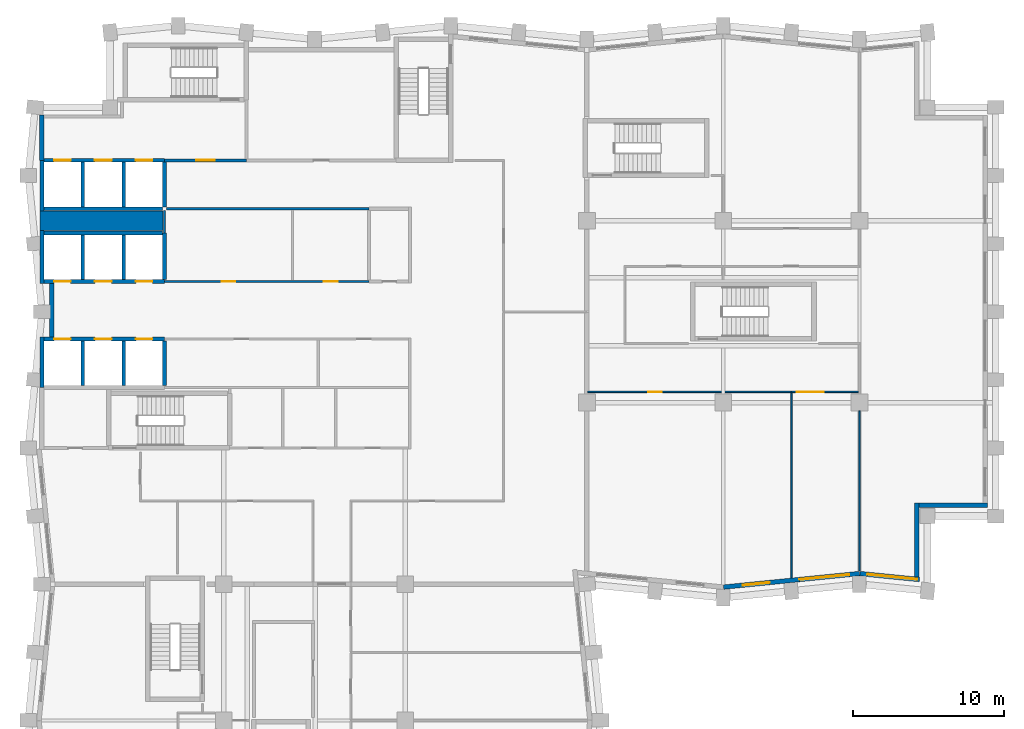
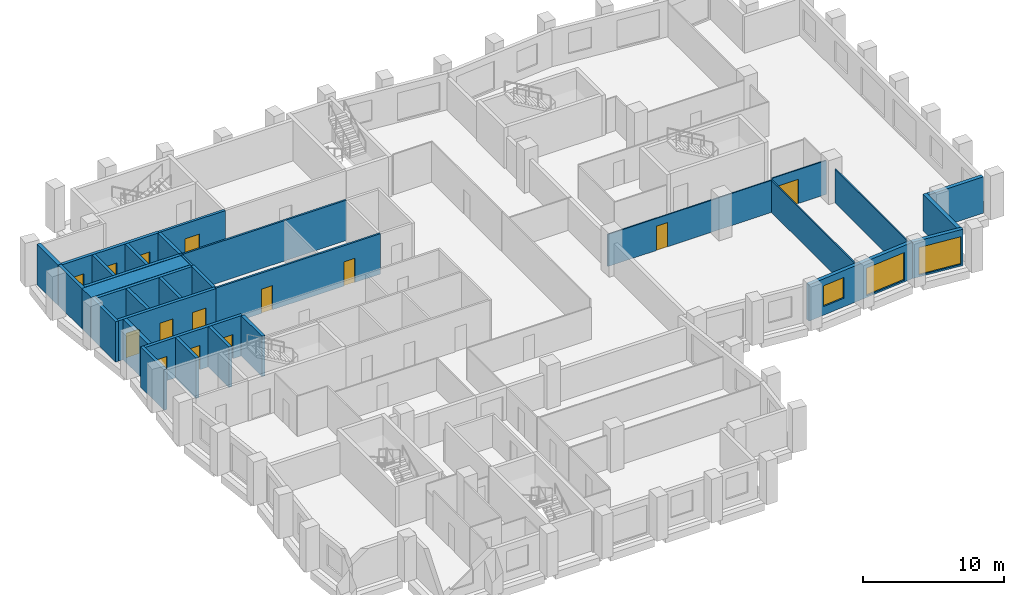
# One storey, part 5 of 10: 32 walls, 14 doors, 3 windows, 17 openings.
"""IFC4 building model written with IfcOpenShell, lengths in metres."""

from ifc_helpers import new_model, si_unit, direction, frame, frame_2d, origin, place, context, subcontext, project, spatial, rectangle, extrude, material, layer, layer_set, type_object, element, fill, save


model = new_model("IFC4")

# Units and contexts
model_context = context("Model", 3, precision=1e-05, world=origin(), true_north=direction((0.0, 1.0)))
body_context = subcontext(model_context, "Body", "Model", "MODEL_VIEW")
ifc_project = project(units=[si_unit("LENGTHUNIT", "METRE"), si_unit("AREAUNIT", "SQUARE_METRE"), si_unit("VOLUMEUNIT", "CUBIC_METRE"), si_unit("PLANEANGLEUNIT", "RADIAN"), si_unit("MASSUNIT", "GRAM", prefix="KILO")], contexts=[model_context])

# Site, building, storey
site_placement = place(None, origin())
site = spatial("IfcSite", under=ifc_project, at=site_placement, CompositionType="ELEMENT")
building_placement = place(site_placement, origin())
building = spatial("IfcBuilding", under=site, at=building_placement, Name="Brondeck Convention Tower", CompositionType="ELEMENT")
storey_placement = place(building_placement, frame((0.0, 0.0, 154.800048828125)))
storey = spatial("IfcBuildingStorey", under=building, at=storey_placement, Name="L37", CompositionType="ELEMENT", Elevation=154.800048828125)

# Walls
ifc_material_1 = material(Name="Concrete C70/85", Category="concrete")
ifc_layer_1 = layer(ifc_material_1, 0.300048828125)
ifc_layer_set_1 = layer_set([ifc_layer_1], Name="Core outer wall 300 Concrete C70/85")
wall_type_1 = type_object("IfcWallType", Name="Core outer wall 300 Concrete C70/85", PredefinedType="SHEAR", material=ifc_layer_set_1)
wall_1_placement = place(storey_placement, frame((0.0, 55.0, 0.0), z_axis=(0.0, 0.0, 1.0), x_axis=(0.0, 1.0, 0.0)))
element("IfcWall", 1, at=wall_1_placement, inside=storey, type_object=wall_type_1, Name="L37 core wall", PredefinedType="SHEAR", context=body_context, shape_type="SweptSolid", body=[
    extrude(rectangle(XDim=3.0, YDim=0.300048828125, at=frame_2d((1.5, 0.0))), origin(), (0.0, 0.0, 1.0), 3.5),
])
wall_2_placement = place(storey_placement, frame((0.64990234375, 43.324951171875, 0.0), z_axis=(0.0, 0.0, 1.0), x_axis=(0.0, 1.0, 0.0)))
element("IfcWall", 2, at=wall_2_placement, inside=storey, type_object=wall_type_1, Name="L37 core wall", PredefinedType="SHEAR", context=body_context, shape_type="SweptSolid", body=[
    extrude(rectangle(XDim=3.550048828125, YDim=0.300048828125, at=frame_2d((1.77490234375, 0.0))), origin(), (0.0, 0.0, 1.0), 3.5),
])

# Wall, openings, doors
ifc_material_2 = material(Name="Fire-rated gypsum board partition")
ifc_layer_2 = layer(ifc_material_2, 0.14990234375)
ifc_layer_set_2 = layer_set([ifc_layer_2], Name="Core partition 150 EI 60")
wall_type_2 = type_object("IfcWallType", Name="Core partition 150 EI 60", PredefinedType="PARTITIONING", material=ifc_layer_set_2)
wall_3_placement = place(storey_placement, frame((8.10009765625, 47.0, 0.0), z_axis=(0.0, 0.0, 1.0), x_axis=(1.0, 0.0, 0.0)))
wall_3 = element("IfcWall", 3, at=wall_3_placement, inside=storey, type_object=wall_type_2, Name="L37 core wall", PredefinedType="PARTITIONING", context=body_context, shape_type="SweptSolid", body=[
    extrude(rectangle(XDim=13.5, YDim=0.14990234375, at=frame_2d((6.75, 0.0))), origin(), (0.0, 0.0, 1.0), 3.5),
])
opening_1_placement = place(wall_3_placement, frame((3.77490234375, 0.0, 0.0)))
opening_1 = element("IfcOpeningElement", 4, at=opening_1_placement, cuts=wall_3, Name="Opening C22-07", PredefinedType="OPENING", context=body_context, shape_type="SweptSolid", body=[
    extrude(rectangle(XDim=0.89990234375, YDim=2.10009765625, at=frame_2d((0.449951171875, 1.050048828125))), frame((0.0, 0.0849609375, 0.0), z_axis=(0.0, -1.0, 0.0), x_axis=(1.0, 0.0, 0.0)), (0.0, 0.0, 1.0), 0.169921875),
])
opening_2_placement = place(wall_3_placement, frame((10.52490234375, 0.0, 0.0)))
opening_2 = element("IfcOpeningElement", 5, at=opening_2_placement, cuts=wall_3, Name="Opening C22-08", PredefinedType="OPENING", context=body_context, shape_type="SweptSolid", body=[
    extrude(rectangle(XDim=0.89990234375, YDim=2.10009765625, at=frame_2d((0.449951171875, 1.050048828125))), frame((0.0, 0.0849609375, 0.0), z_axis=(0.0, -1.0, 0.0), x_axis=(1.0, 0.0, 0.0)), (0.0, 0.0, 1.0), 0.169921875),
])
ifc_material_3 = material(Name="Steel fire door", Category="steel")
door_type_1 = type_object("IfcDoorType", Name="Room door 900x2100 EI 60", OperationType="NOTDEFINED", PredefinedType="DOOR", material=ifc_material_3)
door_1_placement = place(opening_1_placement, origin())
door_1 = element("IfcDoor", 6, at=door_1_placement, inside=storey, type_object=door_type_1, Name="L37 Room door FZ-N-8.1-1", OperationType="SINGLE_SWING_LEFT", OverallHeight=2.10009765625, OverallWidth=0.89990234375, PredefinedType="DOOR", context=body_context, shape_type="SweptSolid", body=[
    extrude(rectangle(XDim=0.89990234375, YDim=2.10009765625, at=frame_2d((0.449951171875, 1.050048828125))), frame((0.0, 0.02490234375, 0.0), z_axis=(0.0, -1.0, 0.0), x_axis=(1.0, 0.0, 0.0)), (0.0, 0.0, 1.0), 0.050048828125),
])
fill(opening_1, door_1)
door_2_placement = place(opening_2_placement, origin())
door_2 = element("IfcDoor", 7, at=door_2_placement, inside=storey, type_object=door_type_1, Name="L37 Room door FZ-N-8.1-2", OperationType="SINGLE_SWING_RIGHT", OverallHeight=2.10009765625, OverallWidth=0.89990234375, PredefinedType="DOOR", context=body_context, shape_type="SweptSolid", body=[
    extrude(rectangle(XDim=0.89990234375, YDim=2.10009765625, at=frame_2d((0.449951171875, 1.050048828125))), frame((0.0, 0.02490234375, 0.0), z_axis=(0.0, -1.0, 0.0), x_axis=(1.0, 0.0, 0.0)), (0.0, 0.0, 1.0), 0.050048828125),
])
fill(opening_2, door_2)

# Walls
wall_4_placement = place(storey_placement, frame((8.22509765625, 51.800048828125, 0.0), z_axis=(0.0, 0.0, 1.0), x_axis=(1.0, 0.0, 0.0)))
element("IfcWall", 8, at=wall_4_placement, inside=storey, type_object=wall_type_2, Name="L37 core wall", PredefinedType="PARTITIONING", context=body_context, shape_type="SweptSolid", body=[
    extrude(rectangle(XDim=13.375, YDim=0.14990234375, at=frame_2d((6.6875, 0.0))), origin(), (0.0, 0.0, 1.0), 3.5),
])
wall_5_placement = place(storey_placement, frame((8.10009765625, 50.199951171875, 0.0), z_axis=(0.0, 0.0, 1.0), x_axis=(0.0, 1.0, 0.0)))
element("IfcWall", 9, at=wall_5_placement, inside=storey, type_object=wall_type_2, Name="L37 core wall", PredefinedType="PARTITIONING", context=body_context, shape_type="SweptSolid", body=[
    extrude(rectangle(XDim=1.47509765625, YDim=0.14990234375, at=frame_2d((0.737548828125, 0.0))), origin(), (0.0, 0.0, 1.0), 3.5),
])
ifc_layer_3 = layer(ifc_material_1, 1.300048828125)
ifc_layer_set_3 = layer_set([ifc_layer_3], Name="Core shear wall 1300 Concrete C70/85")
wall_type_3 = type_object("IfcWallType", Name="Core shear wall 1300 Concrete C70/85", PredefinedType="SHEAR", material=ifc_layer_set_3)
wall_6_placement = place(storey_placement, frame((-0.125, 51.0, 0.0), z_axis=(0.0, 0.0, 1.0), x_axis=(1.0, 0.0, 0.0)))
element("IfcWall", 10, at=wall_6_placement, inside=storey, type_object=wall_type_3, Name="L37 core wall", PredefinedType="SHEAR", context=body_context, shape_type="SweptSolid", body=[
    extrude(rectangle(XDim=8.125, YDim=1.300048828125, at=frame_2d((4.0625, 0.0))), origin(), (0.0, 0.0, 1.0), 3.5),
])

# Wall, openings, windows
ifc_material_4 = material(Name="Precast concrete C50/60 bronze finish", Category="concrete")
ifc_layer_4 = layer(ifc_material_4, 0.070068359375, Name="Bronze precast facing")
ifc_material_5 = material(Name="Mineral wool")
ifc_layer_5 = layer(ifc_material_5, 0.159912109375, Name="Insulation")
ifc_material_6 = material(Name="Concrete C35/45", Category="concrete")
ifc_layer_6 = layer(ifc_material_6, 0.070068359375, Name="Backing")
ifc_layer_set_4 = layer_set([ifc_layer_4, ifc_layer_5, ifc_layer_6], Name="External infill wall, precast concrete C50/60 bronze facing")
wall_type_4 = type_object("IfcWallType", Name="External infill wall, precast concrete C50/60 bronze facing", PredefinedType="SOLIDWALL", material=ifc_layer_set_4)
wall_7_placement = place(storey_placement, frame((54.014892578125, 27.705078125, 0.0), z_axis=(0.0, 0.0, 1.0), x_axis=(-0.995035316196, -0.099522457379, 0.0)))
wall_7 = element("IfcWall", 11, at=wall_7_placement, inside=storey, type_object=wall_type_4, Name="ENV-EW-L37-P1-A-S-02", PredefinedType="SOLIDWALL", context=body_context, shape_type="SweptSolid", body=[
    extrude(rectangle(XDim=9.030029296875, YDim=0.300048828125, at=frame_2d((4.51513671875, 0.0))), origin(), (0.0, 0.0, 1.0), 3.14990234375),
])
opening_3_placement = place(wall_7_placement, frame((0.6962890625, 0.0, 0.14990234375)))
opening_3 = element("IfcOpeningElement", 12, at=opening_3_placement, cuts=wall_7, Name="Opening W9", PredefinedType="OPENING", context=body_context, shape_type="SweptSolid", body=[
    extrude(rectangle(XDim=3.300048828125, YDim=2.39990234375, at=frame_2d((1.64990234375, 1.199951171875))), frame((0.0, 0.159912109375, 0.0), z_axis=(0.0, -1.0, 0.0), x_axis=(1.0, 0.0, 0.0)), (0.0, 0.0, 1.0), 0.320068359375),
])
opening_4_placement = place(wall_7_placement, frame((5.968505859375, 0.0, 0.75)))
opening_4 = element("IfcOpeningElement", 13, at=opening_4_placement, cuts=wall_7, Name="Opening W10", PredefinedType="OPENING", context=body_context, shape_type="SweptSolid", body=[
    extrude(rectangle(XDim=1.800048828125, YDim=1.800048828125, at=frame_2d((0.89990234375, 0.89990234375))), frame((0.0, 0.159912109375, 0.0), z_axis=(0.0, -1.0, 0.0), x_axis=(1.0, 0.0, 0.0)), (0.0, 0.0, 1.0), 0.320068359375),
])
ifc_material_7 = material(Name="Bronze tinted double glazing", Category="glass")
window_type_1 = type_object("IfcWindowType", Name="Glazed flute window, bronze tinted", PartitioningType="SINGLE_PANEL", PredefinedType="WINDOW", material=ifc_material_7)
window_1_placement = place(opening_3_placement, origin())
window_1 = element("IfcWindow", 14, at=window_1_placement, inside=storey, type_object=window_type_1, Name="ENV-WN-L37-P1-A-S-03", OverallHeight=2.39990234375, OverallWidth=3.300048828125, PartitioningType="SINGLE_PANEL", PredefinedType="WINDOW", context=body_context, shape_type="SweptSolid", body=[
    extrude(rectangle(XDim=3.300048828125, YDim=2.39990234375, at=frame_2d((1.64990234375, 1.199951171875))), frame((0.0, 0.030029296875, 0.0), z_axis=(0.0, -1.0, 0.0), x_axis=(1.0, 0.0, 0.0)), (0.0, 0.0, 1.0), 0.06005859375),
])
fill(opening_3, window_1)
window_type_2 = type_object("IfcWindowType", Name="Punched window, bronze tinted", PartitioningType="SINGLE_PANEL", PredefinedType="WINDOW", material=ifc_material_7)
window_2_placement = place(opening_4_placement, origin())
window_2 = element("IfcWindow", 15, at=window_2_placement, inside=storey, type_object=window_type_2, Name="ENV-WN-L37-P1-A-S-02", OverallHeight=1.800048828125, OverallWidth=1.800048828125, PartitioningType="SINGLE_PANEL", PredefinedType="WINDOW", context=body_context, shape_type="SweptSolid", body=[
    extrude(rectangle(XDim=1.800048828125, YDim=1.800048828125, at=frame_2d((0.89990234375, 0.89990234375))), frame((0.0, 0.030029296875, 0.0), z_axis=(0.0, -1.0, 0.0), x_axis=(1.0, 0.0, 0.0)), (0.0, 0.0, 1.0), 0.06005859375),
])
fill(opening_4, window_2)

# Wall, opening, window
wall_8_placement = place(storey_placement, frame((57.96484375, 27.306884765625, 0.0), z_axis=(0.0, 0.0, 1.0), x_axis=(-0.99503596767, 0.099515943658, 0.0)))
wall_8 = element("IfcWall", 16, at=wall_8_placement, inside=storey, type_object=wall_type_4, Name="ENV-EW-L37-P1-A-S-04", PredefinedType="SOLIDWALL", context=body_context, shape_type="SweptSolid", body=[
    extrude(rectangle(XDim=3.95458984375, YDim=0.300048828125, at=frame_2d((1.977294921875, 0.0))), origin(), (0.0, 0.0, 1.0), 3.14990234375),
])
opening_5_placement = place(wall_8_placement, frame((0.14990234375, 0.0, 0.14990234375)))
opening_5 = element("IfcOpeningElement", 17, at=opening_5_placement, cuts=wall_8, Name="Opening W9", PredefinedType="OPENING", context=body_context, shape_type="SweptSolid", body=[
    extrude(rectangle(XDim=3.300048828125, YDim=2.39990234375, at=frame_2d((1.64990234375, 1.199951171875))), frame((0.0, 0.159912109375, 0.0), z_axis=(0.0, -1.0, 0.0), x_axis=(1.0, 0.0, 0.0)), (0.0, 0.0, 1.0), 0.320068359375),
])
window_3_placement = place(opening_5_placement, origin())
window_3 = element("IfcWindow", 18, at=window_3_placement, inside=storey, type_object=window_type_1, Name="ENV-WN-L37-P1-A-S-04", OverallHeight=2.39990234375, OverallWidth=3.300048828125, PartitioningType="SINGLE_PANEL", PredefinedType="WINDOW", context=body_context, shape_type="SweptSolid", body=[
    extrude(rectangle(XDim=3.300048828125, YDim=2.39990234375, at=frame_2d((1.64990234375, 1.199951171875))), frame((0.0, 0.030029296875, 0.0), z_axis=(0.0, -1.0, 0.0), x_axis=(1.0, 0.0, 0.0)), (0.0, 0.0, 1.0), 0.06005859375),
])
fill(opening_5, window_3)

# Walls
wall_9_placement = place(storey_placement, frame((57.800048828125, 32.35009765625, 0.0), z_axis=(0.0, 0.0, 1.0), x_axis=(0.0, -1.0, 0.0)))
element("IfcWall", 19, at=wall_9_placement, inside=storey, type_object=wall_type_4, Name="ENV-EW-L37-P1-NC-SEA63-01", PredefinedType="SOLIDWALL", context=body_context, shape_type="SweptSolid", body=[
    extrude(rectangle(XDim=4.87060546875, YDim=0.300048828125, at=frame_2d((2.435302734375, 0.0))), origin(), (0.0, 0.0, 1.0), 3.14990234375),
])
wall_10_placement = place(storey_placement, frame((62.449951171875, 32.199951171875, 0.0), z_axis=(0.0, 0.0, 1.0), x_axis=(-1.0, 0.0, 0.0)))
element("IfcWall", 20, at=wall_10_placement, inside=storey, type_object=wall_type_4, Name="ENV-EW-L37-P1-NC-SEA63-02", PredefinedType="SOLIDWALL", context=body_context, shape_type="SweptSolid", body=[
    extrude(rectangle(XDim=4.501953125, YDim=0.300048828125, at=frame_2d((2.2509765625, 0.0))), origin(), (0.0, 0.0, 1.0), 3.14990234375),
])

# Wall, opening, door
ifc_layer_7 = layer(ifc_material_2, 0.199951171875)
ifc_layer_set_5 = layer_set([ifc_layer_7], Name="Firefighting lobby wall 200 EI 120")
wall_type_5 = type_object("IfcWallType", Name="Firefighting lobby wall 200 EI 120", PredefinedType="PARTITIONING", material=ifc_layer_set_5)
wall_11_placement = place(storey_placement, frame((8.10009765625, 55.0, 0.0), z_axis=(0.0, 0.0, 1.0), x_axis=(1.0, 0.0, 0.0)))
wall_11 = element("IfcWall", 21, at=wall_11_placement, inside=storey, type_object=wall_type_5, Name="L37 core wall", PredefinedType="PARTITIONING", context=body_context, shape_type="SweptSolid", body=[
    extrude(rectangle(XDim=5.39990234375, YDim=0.199951171875, at=frame_2d((2.699951171875, 0.0))), origin(), (0.0, 0.0, 1.0), 3.5),
])
opening_6_placement = place(wall_11_placement, frame((2.10009765625, 0.0, 0.0)))
opening_6 = element("IfcOpeningElement", 22, at=opening_6_placement, cuts=wall_11, Name="Opening C22-01", PredefinedType="OPENING", context=body_context, shape_type="SweptSolid", body=[
    extrude(rectangle(XDim=1.199951171875, YDim=2.199951171875, at=frame_2d((0.60009765625, 1.10009765625))), frame((0.0, 0.10986328125, 0.0), z_axis=(0.0, -1.0, 0.0), x_axis=(1.0, 0.0, 0.0)), (0.0, 0.0, 1.0), 0.219970703125),
])
door_type_2 = type_object("IfcDoorType", Name="Firefighting lobby door 1200x2200 EI 120", OperationType="NOTDEFINED", PredefinedType="DOOR", material=ifc_material_3)
door_3_placement = place(opening_6_placement, origin())
door_3 = element("IfcDoor", 23, at=door_3_placement, inside=storey, type_object=door_type_2, Name="L37 Firefighting lobby door FFL-1", OperationType="SINGLE_SWING_RIGHT", OverallHeight=2.199951171875, OverallWidth=1.199951171875, PredefinedType="DOOR", context=body_context, shape_type="SweptSolid", body=[
    extrude(rectangle(XDim=1.199951171875, YDim=2.199951171875, at=frame_2d((0.60009765625, 1.10009765625))), frame((0.0, 0.02490234375, 0.0), z_axis=(0.0, -1.0, 0.0), x_axis=(1.0, 0.0, 0.0)), (0.0, 0.0, 1.0), 0.050048828125),
])
fill(opening_6, door_3)

# Wall, openings, doors
ifc_layer_8 = layer(ifc_material_1, 0.25)
ifc_layer_set_6 = layer_set([ifc_layer_8], Name="Lift shaft wall 250 Concrete C70/85")
wall_type_6 = type_object("IfcWallType", Name="Lift shaft wall 250 Concrete C70/85", PredefinedType="SHEAR", material=ifc_layer_set_6)
wall_12_placement = place(storey_placement, frame((0.125, 43.199951171875, 0.0), z_axis=(0.0, 0.0, 1.0), x_axis=(1.0, 0.0, 0.0)))
wall_12 = element("IfcWall", 24, at=wall_12_placement, inside=storey, type_object=wall_type_6, Name="L37 core wall", PredefinedType="SHEAR", context=body_context, shape_type="SweptSolid", body=[
    extrude(rectangle(XDim=7.97509765625, YDim=0.25, at=frame_2d((3.987548828125, 0.0))), origin(), (0.0, 0.0, 1.0), 3.5),
])
opening_7_placement = place(wall_12_placement, frame((0.675048828125, 0.0, 0.0)))
opening_7 = element("IfcOpeningElement", 25, at=opening_7_placement, cuts=wall_12, Name="Opening C22-22", PredefinedType="OPENING", context=body_context, shape_type="SweptSolid", body=[
    extrude(rectangle(XDim=1.10009765625, YDim=2.10009765625, at=frame_2d((0.550048828125, 1.050048828125))), frame((0.0, 0.135009765625, 0.0), z_axis=(0.0, -1.0, 0.0), x_axis=(1.0, 0.0, 0.0)), (0.0, 0.0, 1.0), 0.27001953125),
])
opening_8_placement = place(wall_12_placement, frame((3.375, 0.0, 0.0)))
opening_8 = element("IfcOpeningElement", 26, at=opening_8_placement, cuts=wall_12, Name="Opening C22-23", PredefinedType="OPENING", context=body_context, shape_type="SweptSolid", body=[
    extrude(rectangle(XDim=1.10009765625, YDim=2.10009765625, at=frame_2d((0.550048828125, 1.050048828125))), frame((0.0, 0.135009765625, 0.0), z_axis=(0.0, -1.0, 0.0), x_axis=(1.0, 0.0, 0.0)), (0.0, 0.0, 1.0), 0.27001953125),
])
opening_9_placement = place(wall_12_placement, frame((6.074951171875, 0.0, 0.0)))
opening_9 = element("IfcOpeningElement", 27, at=opening_9_placement, cuts=wall_12, Name="Opening C22-24", PredefinedType="OPENING", context=body_context, shape_type="SweptSolid", body=[
    extrude(rectangle(XDim=1.10009765625, YDim=2.10009765625, at=frame_2d((0.550048828125, 1.050048828125))), frame((0.0, 0.135009765625, 0.0), z_axis=(0.0, -1.0, 0.0), x_axis=(1.0, 0.0, 0.0)), (0.0, 0.0, 1.0), 0.27001953125),
])
ifc_material_8 = material(Name="Stainless steel lift door", Category="steel")
door_type_3 = type_object("IfcDoorType", Name="Lift landing door 1100x2100 EI 180", OperationType="DOUBLE_DOOR_SLIDING", PredefinedType="DOOR", material=ifc_material_8)
door_4_placement = place(opening_7_placement, origin())
door_4 = element("IfcDoor", 28, at=door_4_placement, inside=storey, type_object=door_type_3, Name="L37 Lift landing door HR1", OperationType="DOUBLE_DOOR_SLIDING", OverallHeight=2.10009765625, OverallWidth=1.10009765625, PredefinedType="DOOR", context=body_context, shape_type="SweptSolid", body=[
    extrude(rectangle(XDim=1.10009765625, YDim=2.10009765625, at=frame_2d((0.550048828125, 1.050048828125))), frame((0.0, 0.02490234375, 0.0), z_axis=(0.0, -1.0, 0.0), x_axis=(1.0, 0.0, 0.0)), (0.0, 0.0, 1.0), 0.050048828125),
])
fill(opening_7, door_4)
door_5_placement = place(opening_8_placement, origin())
door_5 = element("IfcDoor", 29, at=door_5_placement, inside=storey, type_object=door_type_3, Name="L37 Lift landing door HR2", OperationType="DOUBLE_DOOR_SLIDING", OverallHeight=2.10009765625, OverallWidth=1.10009765625, PredefinedType="DOOR", context=body_context, shape_type="SweptSolid", body=[
    extrude(rectangle(XDim=1.10009765625, YDim=2.10009765625, at=frame_2d((0.550048828125, 1.050048828125))), frame((0.0, 0.02490234375, 0.0), z_axis=(0.0, -1.0, 0.0), x_axis=(1.0, 0.0, 0.0)), (0.0, 0.0, 1.0), 0.050048828125),
])
fill(opening_8, door_5)
door_6_placement = place(opening_9_placement, origin())
door_6 = element("IfcDoor", 30, at=door_6_placement, inside=storey, type_object=door_type_3, Name="L37 Lift landing door HR3", OperationType="DOUBLE_DOOR_SLIDING", OverallHeight=2.10009765625, OverallWidth=1.10009765625, PredefinedType="DOOR", context=body_context, shape_type="SweptSolid", body=[
    extrude(rectangle(XDim=1.10009765625, YDim=2.10009765625, at=frame_2d((0.550048828125, 1.050048828125))), frame((0.0, 0.02490234375, 0.0), z_axis=(0.0, -1.0, 0.0), x_axis=(1.0, 0.0, 0.0)), (0.0, 0.0, 1.0), 0.050048828125),
])
fill(opening_9, door_6)

wall_13_placement = place(storey_placement, frame((0.125, 47.0, 0.0), z_axis=(0.0, 0.0, 1.0), x_axis=(1.0, 0.0, 0.0)))
wall_13 = element("IfcWall", 31, at=wall_13_placement, inside=storey, type_object=wall_type_6, Name="L37 core wall", PredefinedType="SHEAR", context=body_context, shape_type="SweptSolid", body=[
    extrude(rectangle(XDim=7.97509765625, YDim=0.25, at=frame_2d((3.987548828125, 0.0))), origin(), (0.0, 0.0, 1.0), 3.5),
])
opening_10_placement = place(wall_13_placement, frame((0.675048828125, 0.0, 0.0)))
opening_10 = element("IfcOpeningElement", 32, at=opening_10_placement, cuts=wall_13, Name="Opening C22-25", PredefinedType="OPENING", context=body_context, shape_type="SweptSolid", body=[
    extrude(rectangle(XDim=1.10009765625, YDim=2.10009765625, at=frame_2d((0.550048828125, 1.050048828125))), frame((0.0, 0.135009765625, 0.0), z_axis=(0.0, -1.0, 0.0), x_axis=(1.0, 0.0, 0.0)), (0.0, 0.0, 1.0), 0.27001953125),
])
opening_11_placement = place(wall_13_placement, frame((3.375, 0.0, 0.0)))
opening_11 = element("IfcOpeningElement", 33, at=opening_11_placement, cuts=wall_13, Name="Opening C22-26", PredefinedType="OPENING", context=body_context, shape_type="SweptSolid", body=[
    extrude(rectangle(XDim=1.10009765625, YDim=2.10009765625, at=frame_2d((0.550048828125, 1.050048828125))), frame((0.0, 0.135009765625, 0.0), z_axis=(0.0, -1.0, 0.0), x_axis=(1.0, 0.0, 0.0)), (0.0, 0.0, 1.0), 0.27001953125),
])
opening_12_placement = place(wall_13_placement, frame((6.074951171875, 0.0, 0.0)))
opening_12 = element("IfcOpeningElement", 34, at=opening_12_placement, cuts=wall_13, Name="Opening C22-27", PredefinedType="OPENING", context=body_context, shape_type="SweptSolid", body=[
    extrude(rectangle(XDim=1.10009765625, YDim=2.10009765625, at=frame_2d((0.550048828125, 1.050048828125))), frame((0.0, 0.135009765625, 0.0), z_axis=(0.0, -1.0, 0.0), x_axis=(1.0, 0.0, 0.0)), (0.0, 0.0, 1.0), 0.27001953125),
])
door_7_placement = place(opening_10_placement, origin())
door_7 = element("IfcDoor", 35, at=door_7_placement, inside=storey, type_object=door_type_3, Name="L37 Lift landing door HR4", OperationType="DOUBLE_DOOR_SLIDING", OverallHeight=2.10009765625, OverallWidth=1.10009765625, PredefinedType="DOOR", context=body_context, shape_type="SweptSolid", body=[
    extrude(rectangle(XDim=1.10009765625, YDim=2.10009765625, at=frame_2d((0.550048828125, 1.050048828125))), frame((0.0, 0.02490234375, 0.0), z_axis=(0.0, -1.0, 0.0), x_axis=(1.0, 0.0, 0.0)), (0.0, 0.0, 1.0), 0.050048828125),
])
fill(opening_10, door_7)
door_8_placement = place(opening_11_placement, origin())
door_8 = element("IfcDoor", 36, at=door_8_placement, inside=storey, type_object=door_type_3, Name="L37 Lift landing door HR5", OperationType="DOUBLE_DOOR_SLIDING", OverallHeight=2.10009765625, OverallWidth=1.10009765625, PredefinedType="DOOR", context=body_context, shape_type="SweptSolid", body=[
    extrude(rectangle(XDim=1.10009765625, YDim=2.10009765625, at=frame_2d((0.550048828125, 1.050048828125))), frame((0.0, 0.02490234375, 0.0), z_axis=(0.0, -1.0, 0.0), x_axis=(1.0, 0.0, 0.0)), (0.0, 0.0, 1.0), 0.050048828125),
])
fill(opening_11, door_8)
door_9_placement = place(opening_12_placement, origin())
door_9 = element("IfcDoor", 37, at=door_9_placement, inside=storey, type_object=door_type_3, Name="L37 Lift landing door HR6", OperationType="DOUBLE_DOOR_SLIDING", OverallHeight=2.10009765625, OverallWidth=1.10009765625, PredefinedType="DOOR", context=body_context, shape_type="SweptSolid", body=[
    extrude(rectangle(XDim=1.10009765625, YDim=2.10009765625, at=frame_2d((0.550048828125, 1.050048828125))), frame((0.0, 0.02490234375, 0.0), z_axis=(0.0, -1.0, 0.0), x_axis=(1.0, 0.0, 0.0)), (0.0, 0.0, 1.0), 0.050048828125),
])
fill(opening_12, door_9)

# Walls
for number, where, z_axis, x_axis, name in (
    (38, (0.125, 50.199951171875, 0.0), (0.0, 0.0, 1.0), (1.0, 0.0, 0.0), "L37 core wall"),
    (39, (0.125, 51.800048828125, 0.0), (0.0, 0.0, 1.0), (1.0, 0.0, 0.0), "L37 core wall"),
):
    element("IfcWall", number, at=place(storey_placement, frame(where, z_axis=z_axis, x_axis=x_axis)), inside=storey, type_object=wall_type_6, Name=name, PredefinedType="SHEAR", context=body_context, shape_type="SweptSolid", body=[
        extrude(rectangle(XDim=7.85009765625, YDim=0.25, at=frame_2d((3.925048828125, 0.0))), origin(), (0.0, 0.0, 1.0), 3.5),
    ])

# Wall, openings, doors
wall_14_placement = place(storey_placement, frame((0.14990234375, 55.0, 0.0), z_axis=(0.0, 0.0, 1.0), x_axis=(1.0, 0.0, 0.0)))
wall_14 = element("IfcWall", 40, at=wall_14_placement, inside=storey, type_object=wall_type_6, Name="L37 core wall", PredefinedType="SHEAR", context=body_context, shape_type="SweptSolid", body=[
    extrude(rectangle(XDim=7.9501953125, YDim=0.25, at=frame_2d((3.97509765625, 0.0))), origin(), (0.0, 0.0, 1.0), 3.5),
])
opening_13_placement = place(wall_14_placement, frame((0.64990234375, 0.0, 0.0)))
opening_13 = element("IfcOpeningElement", 41, at=opening_13_placement, cuts=wall_14, Name="Opening C22-19", PredefinedType="OPENING", context=body_context, shape_type="SweptSolid", body=[
    extrude(rectangle(XDim=1.10009765625, YDim=2.10009765625, at=frame_2d((0.550048828125, 1.050048828125))), frame((0.0, 0.135009765625, 0.0), z_axis=(0.0, -1.0, 0.0), x_axis=(1.0, 0.0, 0.0)), (0.0, 0.0, 1.0), 0.27001953125),
])
opening_14_placement = place(wall_14_placement, frame((3.35009765625, 0.0, 0.0)))
opening_14 = element("IfcOpeningElement", 42, at=opening_14_placement, cuts=wall_14, Name="Opening C22-20", PredefinedType="OPENING", context=body_context, shape_type="SweptSolid", body=[
    extrude(rectangle(XDim=1.10009765625, YDim=2.10009765625, at=frame_2d((0.550048828125, 1.050048828125))), frame((0.0, 0.135009765625, 0.0), z_axis=(0.0, -1.0, 0.0), x_axis=(1.0, 0.0, 0.0)), (0.0, 0.0, 1.0), 0.27001953125),
])
opening_15_placement = place(wall_14_placement, frame((6.050048828125, 0.0, 0.0)))
opening_15 = element("IfcOpeningElement", 43, at=opening_15_placement, cuts=wall_14, Name="Opening C22-21", PredefinedType="OPENING", context=body_context, shape_type="SweptSolid", body=[
    extrude(rectangle(XDim=1.10009765625, YDim=2.10009765625, at=frame_2d((0.550048828125, 1.050048828125))), frame((0.0, 0.135009765625, 0.0), z_axis=(0.0, -1.0, 0.0), x_axis=(1.0, 0.0, 0.0)), (0.0, 0.0, 1.0), 0.27001953125),
])
door_10_placement = place(opening_13_placement, origin())
door_10 = element("IfcDoor", 44, at=door_10_placement, inside=storey, type_object=door_type_3, Name="L37 Lift landing door FF1", OperationType="DOUBLE_DOOR_SLIDING", OverallHeight=2.10009765625, OverallWidth=1.10009765625, PredefinedType="DOOR", context=body_context, shape_type="SweptSolid", body=[
    extrude(rectangle(XDim=1.10009765625, YDim=2.10009765625, at=frame_2d((0.550048828125, 1.050048828125))), frame((0.0, 0.02490234375, 0.0), z_axis=(0.0, -1.0, 0.0), x_axis=(1.0, 0.0, 0.0)), (0.0, 0.0, 1.0), 0.050048828125),
])
fill(opening_13, door_10)
door_11_placement = place(opening_14_placement, origin())
door_11 = element("IfcDoor", 45, at=door_11_placement, inside=storey, type_object=door_type_3, Name="L37 Lift landing door FF2", OperationType="DOUBLE_DOOR_SLIDING", OverallHeight=2.10009765625, OverallWidth=1.10009765625, PredefinedType="DOOR", context=body_context, shape_type="SweptSolid", body=[
    extrude(rectangle(XDim=1.10009765625, YDim=2.10009765625, at=frame_2d((0.550048828125, 1.050048828125))), frame((0.0, 0.02490234375, 0.0), z_axis=(0.0, -1.0, 0.0), x_axis=(1.0, 0.0, 0.0)), (0.0, 0.0, 1.0), 0.050048828125),
])
fill(opening_14, door_11)
door_12_placement = place(opening_15_placement, origin())
door_12 = element("IfcDoor", 46, at=door_12_placement, inside=storey, type_object=door_type_3, Name="L37 Lift landing door FF3", OperationType="DOUBLE_DOOR_SLIDING", OverallHeight=2.10009765625, OverallWidth=1.10009765625, PredefinedType="DOOR", context=body_context, shape_type="SweptSolid", body=[
    extrude(rectangle(XDim=1.10009765625, YDim=2.10009765625, at=frame_2d((0.550048828125, 1.050048828125))), frame((0.0, 0.02490234375, 0.0), z_axis=(0.0, -1.0, 0.0), x_axis=(1.0, 0.0, 0.0)), (0.0, 0.0, 1.0), 0.050048828125),
])
fill(opening_15, door_12)

# Walls
wall_15_placement = place(storey_placement, frame((0.0, 40.0, 0.0), z_axis=(0.0, 0.0, 1.0), x_axis=(0.0, 1.0, 0.0)))
element("IfcWall", 47, at=wall_15_placement, inside=storey, type_object=wall_type_6, Name="L37 core wall", PredefinedType="SHEAR", context=body_context, shape_type="SweptSolid", body=[
    extrude(rectangle(XDim=3.324951171875, YDim=0.25, at=frame_2d((1.66259765625, 0.0))), origin(), (0.0, 0.0, 1.0), 3.5),
])
wall_16_placement = place(storey_placement, frame((0.0, 46.875, 0.0), z_axis=(0.0, 0.0, 1.0), x_axis=(0.0, 1.0, 0.0)))
element("IfcWall", 48, at=wall_16_placement, inside=storey, type_object=wall_type_6, Name="L37 core wall", PredefinedType="SHEAR", context=body_context, shape_type="SweptSolid", body=[
    extrude(rectangle(XDim=3.47509765625, YDim=0.25, at=frame_2d((1.737548828125, 0.0))), origin(), (0.0, 0.0, 1.0), 3.5),
])
wall_17_placement = place(storey_placement, frame((0.0, 51.64990234375, 0.0), z_axis=(0.0, 0.0, 1.0), x_axis=(0.0, 1.0, 0.0)))
element("IfcWall", 49, at=wall_17_placement, inside=storey, type_object=wall_type_6, Name="L37 core wall", PredefinedType="SHEAR", context=body_context, shape_type="SweptSolid", body=[
    extrude(rectangle(XDim=3.35009765625, YDim=0.25, at=frame_2d((1.675048828125, 0.0))), origin(), (0.0, 0.0, 1.0), 3.5),
])
for number, where, z_axis, x_axis, name in (
    (50, (2.699951171875, 40.125, 0.0), (0.0, 0.0, 1.0), (0.0, 1.0, 0.0), "L37 core wall"),
    (51, (2.699951171875, 47.125, 0.0), (0.0, 0.0, 1.0), (0.0, 1.0, 0.0), "L37 core wall"),
    (52, (2.699951171875, 51.925048828125, 0.0), (0.0, 0.0, 1.0), (0.0, 1.0, 0.0), "L37 core wall"),
    (53, (5.39990234375, 40.125, 0.0), (0.0, 0.0, 1.0), (0.0, 1.0, 0.0), "L37 core wall"),
    (54, (5.39990234375, 47.125, 0.0), (0.0, 0.0, 1.0), (0.0, 1.0, 0.0), "L37 core wall"),
    (55, (5.39990234375, 51.925048828125, 0.0), (0.0, 0.0, 1.0), (0.0, 1.0, 0.0), "L37 core wall"),
    (56, (8.10009765625, 40.125, 0.0), (0.0, 0.0, 1.0), (0.0, 1.0, 0.0), "L37 core wall"),
):
    element("IfcWall", number, at=place(storey_placement, frame(where, z_axis=z_axis, x_axis=x_axis)), inside=storey, type_object=wall_type_6, Name=name, PredefinedType="SHEAR", context=body_context, shape_type="SweptSolid", body=[
        extrude(rectangle(XDim=2.949951171875, YDim=0.25, at=frame_2d((1.47509765625, 0.0))), origin(), (0.0, 0.0, 1.0), 3.5),
    ])
wall_18_placement = place(storey_placement, frame((8.10009765625, 47.125, 0.0), z_axis=(0.0, 0.0, 1.0), x_axis=(0.0, 1.0, 0.0)))
element("IfcWall", 57, at=wall_18_placement, inside=storey, type_object=wall_type_6, Name="L37 core wall", PredefinedType="SHEAR", context=body_context, shape_type="SweptSolid", body=[
    extrude(rectangle(XDim=3.074951171875, YDim=0.25, at=frame_2d((1.53759765625, 0.0))), origin(), (0.0, 0.0, 1.0), 3.5),
])
wall_19_placement = place(storey_placement, frame((8.10009765625, 51.925048828125, 0.0), z_axis=(0.0, 0.0, 1.0), x_axis=(0.0, 1.0, 0.0)))
element("IfcWall", 58, at=wall_19_placement, inside=storey, type_object=wall_type_6, Name="L37 core wall", PredefinedType="SHEAR", context=body_context, shape_type="SweptSolid", body=[
    extrude(rectangle(XDim=2.949951171875, YDim=0.25, at=frame_2d((1.47509765625, 0.0))), origin(), (0.0, 0.0, 1.0), 3.5),
])
ifc_material_9 = material(Name="Gypsum board partition on steel studs", Category="steel")
ifc_layer_9 = layer(ifc_material_9, 0.10009765625)
ifc_layer_set_7 = layer_set([ifc_layer_9], Name="Room partition 100")
wall_type_7 = type_object("IfcWallType", Name="Room partition 100", PredefinedType="PARTITIONING", material=ifc_layer_set_7)
wall_20_placement = place(storey_placement, frame((54.0, 27.874267578125, 0.0), z_axis=(0.0, 0.0, 1.0), x_axis=(0.0, 1.0, 0.0)))
element("IfcWall", 59, at=wall_20_placement, inside=storey, type_object=wall_type_7, Name="FLR-L37-W030", PredefinedType="PARTITIONING", context=body_context, shape_type="SweptSolid", body=[
    extrude(rectangle(XDim=10.57080078125, YDim=0.10009765625, at=frame_2d((5.285400390625, 0.0))), origin(), (0.0, 0.0, 1.0), 2.929931640625),
])
wall_21_placement = place(storey_placement, frame((49.5, 39.64990234375, 0.0), z_axis=(0.0, 0.0, 1.0), x_axis=(0.0, -1.0, 0.0)))
element("IfcWall", 60, at=wall_21_placement, inside=storey, type_object=wall_type_7, Name="FLR-L37-W038", PredefinedType="PARTITIONING", context=body_context, shape_type="SweptSolid", body=[
    extrude(rectangle(XDim=12.2255859375, YDim=0.10009765625, at=frame_2d((6.11279296875, 0.0))), origin(), (0.0, 0.0, 1.0), 2.780029296875),
])

# Wall, opening, door
wall_22_placement = place(storey_placement, frame((49.5, 39.699951171875, 0.0), z_axis=(0.0, 0.0, 1.0), x_axis=(-1.0, 0.0, 0.0)))
wall_22 = element("IfcWall", 61, at=wall_22_placement, inside=storey, type_object=wall_type_7, Name="FLR-L37-W039", PredefinedType="PARTITIONING", context=body_context, shape_type="SweptSolid", body=[
    extrude(rectangle(XDim=13.449951171875, YDim=0.10009765625, at=frame_2d((6.72509765625, 0.0))), origin(), (0.0, 0.0, 1.0), 2.780029296875),
])
opening_16_placement = place(wall_22_placement, frame((8.550048828125, 0.0, 0.0)))
opening_16 = element("IfcOpeningElement", 62, at=opening_16_placement, cuts=wall_22, Name="Opening OF-G-006", PredefinedType="OPENING", context=body_context, shape_type="SweptSolid", body=[
    extrude(rectangle(XDim=0.89990234375, YDim=2.10009765625, at=frame_2d((0.449951171875, 1.050048828125))), frame((0.0, 0.06005859375, 0.0), z_axis=(0.0, -1.0, 0.0), x_axis=(1.0, 0.0, 0.0)), (0.0, 0.0, 1.0), 0.1201171875),
])
ifc_material_10 = material(Name="Solid timber door leaf", Category="wood")
door_type_4 = type_object("IfcDoorType", Name="Single door 900", OperationType="NOTDEFINED", PredefinedType="DOOR", material=ifc_material_10)
door_13_placement = place(opening_16_placement, origin())
door_13 = element("IfcDoor", 63, at=door_13_placement, inside=storey, type_object=door_type_4, Name="Door OF-G-006", OperationType="SINGLE_SWING_LEFT", OverallHeight=2.10009765625, OverallWidth=0.89990234375, PredefinedType="DOOR", context=body_context, shape_type="SweptSolid", body=[
    extrude(rectangle(XDim=0.89990234375, YDim=2.10009765625, at=frame_2d((0.449951171875, 1.050048828125))), frame((0.0, 0.02490234375, 0.0), z_axis=(0.0, -1.0, 0.0), x_axis=(1.0, 0.0, 0.0)), (0.0, 0.0, 1.0), 0.050048828125),
])
fill(opening_16, door_13)

wall_23_placement = place(storey_placement, frame((53.949951171875, 39.699951171875, 0.0), z_axis=(0.0, 0.0, 1.0), x_axis=(-1.0, 0.0, 0.0)))
wall_23 = element("IfcWall", 64, at=wall_23_placement, inside=storey, type_object=wall_type_7, Name="FLR-L37-W040", PredefinedType="PARTITIONING", context=body_context, shape_type="SweptSolid", body=[
    extrude(rectangle(XDim=4.449951171875, YDim=0.10009765625, at=frame_2d((2.22509765625, 0.0))), origin(), (0.0, 0.0, 1.0), 2.929931640625),
])
opening_17_placement = place(wall_23_placement, frame((2.2958984375, 0.0, 0.0)))
opening_17 = element("IfcOpeningElement", 65, at=opening_17_placement, cuts=wall_23, Name="Opening OF-G-007", PredefinedType="OPENING", context=body_context, shape_type="SweptSolid", body=[
    extrude(rectangle(XDim=1.800048828125, YDim=2.10009765625, at=frame_2d((0.89990234375, 1.050048828125))), frame((0.0, 0.06005859375, 0.0), z_axis=(0.0, -1.0, 0.0), x_axis=(1.0, 0.0, 0.0)), (0.0, 0.0, 1.0), 0.1201171875),
])
ifc_material_11 = material(Name="Glazed timber double door", Category="wood")
door_type_5 = type_object("IfcDoorType", Name="Double door 1800", OperationType="DOUBLE_DOOR_SINGLE_SWING", PredefinedType="DOOR", material=ifc_material_11)
door_14_placement = place(opening_17_placement, origin())
door_14 = element("IfcDoor", 66, at=door_14_placement, inside=storey, type_object=door_type_5, Name="Door OF-G-007", OperationType="DOUBLE_DOOR_SINGLE_SWING", OverallHeight=2.10009765625, OverallWidth=1.800048828125, PredefinedType="DOOR", context=body_context, shape_type="SweptSolid", body=[
    extrude(rectangle(XDim=1.800048828125, YDim=2.10009765625, at=frame_2d((0.89990234375, 1.050048828125))), frame((0.0, 0.02490234375, 0.0), z_axis=(0.0, -1.0, 0.0), x_axis=(1.0, 0.0, 0.0)), (0.0, 0.0, 1.0), 0.050048828125),
])
fill(opening_17, door_14)

save(model, "model.ifc")
